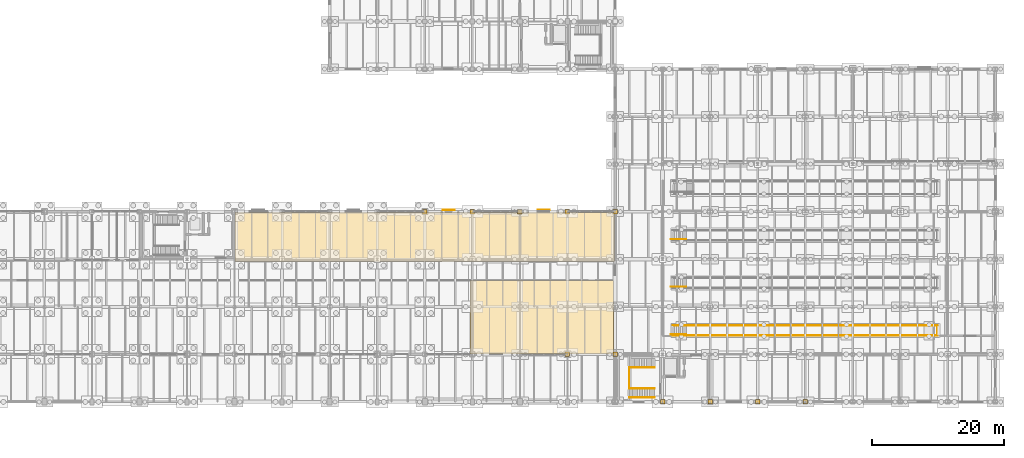
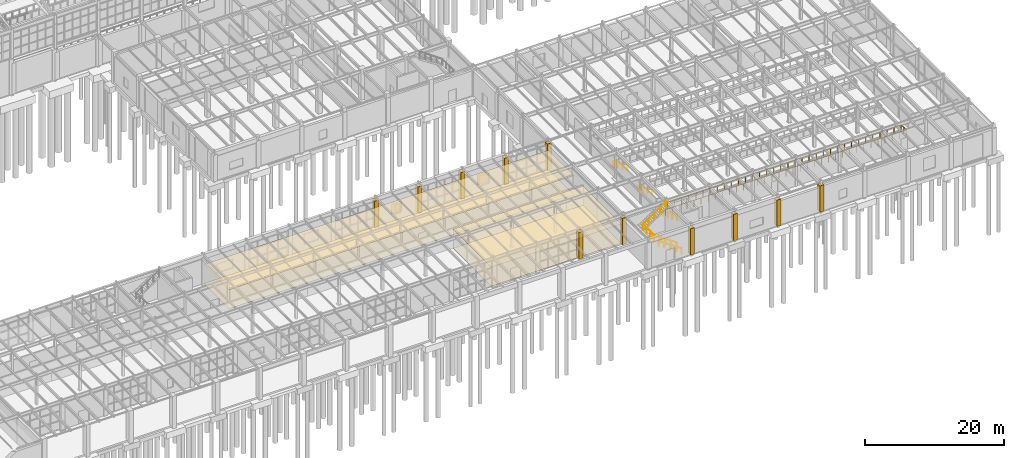
# One storey, part 289 of 293: 15 coverings, 6 railings, 2 shading devices.
"""IFC4 building model written with IfcOpenShell, lengths in metres."""

from ifc_helpers import new_model, si_unit, direction, frame, origin, origin_2d, place, context, subcontext, project, spatial, polyline, rectangle, circle, outline, extrude, material, layer, layer_set, type_object, element, save


model = new_model("IFC4")

# Units and contexts
model_context = context("Model", 3, precision=1e-05, world=origin(), true_north=direction((0.0, 1.0)))
body_context = subcontext(model_context, "Body", "Model", "MODEL_VIEW")
ifc_project = project(units=[si_unit("LENGTHUNIT", "METRE"), si_unit("AREAUNIT", "SQUARE_METRE"), si_unit("VOLUMEUNIT", "CUBIC_METRE"), si_unit("PLANEANGLEUNIT", "RADIAN"), si_unit("MASSUNIT", "GRAM", prefix="KILO")], contexts=[model_context])

# Site, building, storey
site_placement = place(None, origin())
site = spatial("IfcSite", under=ifc_project, at=site_placement, CompositionType="ELEMENT")
building_placement = place(site_placement, origin())
building = spatial("IfcBuilding", under=site, at=building_placement, Name="Kemerveld Promenade Tramway Depot", CompositionType="ELEMENT")
storey_placement = place(building_placement, origin())
storey = spatial("IfcBuildingStorey", under=building, at=storey_placement, Name="L00", CompositionType="ELEMENT", Elevation=0.0)

# Coverings
ifc_material_1 = material(Name="Perforated mineral-fibre acoustic ceiling")
ifc_layer_1 = layer(ifc_material_1, 0.02490234375)
ifc_layer_set_1 = layer_set([ifc_layer_1], Name="COV-CEIL-AC")
covering_type_1 = type_object("IfcCoveringType", Name="COV-CEIL-AC", PredefinedType="CEILING", material=ifc_layer_set_1)
covering_1_placement = place(storey_placement, frame((0.0, 0.0, 3.35498046875)))
element("IfcCovering", 1, at=covering_1_placement, inside=storey, type_object=covering_type_1, Name="CEIL-RM-L00-V4-COMM", PredefinedType="CEILING", context=body_context, shape_type="SweptSolid", body=[
    extrude(outline(polyline([(136.449951171875, 7.25), (158.175048828125, 7.25), (158.175048828125, 18.35009765625), (136.449951171875, 18.35009765625), (136.449951171875, 7.25)])), origin(), (0.0, 0.0, 1.0), 0.02490234375),
])
covering_2_placement = place(storey_placement, frame((0.0, 0.0, 3.35498046875)))
element("IfcCovering", 2, at=covering_2_placement, inside=storey, type_object=covering_type_1, Name="CEIL-RM-L00-V4-FOY", PredefinedType="CEILING", context=body_context, shape_type="SweptSolid", body=[
    extrude(outline(polyline([(100.85009765625, 21.25), (158.35009765625, 21.25), (158.35009765625, 28.64990234375), (100.85009765625, 28.64990234375), (100.85009765625, 21.25)])), origin(), (0.0, 0.0, 1.0), 0.02490234375),
])
ifc_material_2 = material(Name="Dressed Harare granite ashlar cladding", Category="masonry")
ifc_layer_2 = layer(ifc_material_2, 0.050048828125)
ifc_layer_set_2 = layer_set([ifc_layer_2], Name="COV-CLAD-GRAN")
covering_type_2 = type_object("IfcCoveringType", Name="COV-CLAD-GRAN", PredefinedType="CLADDING", material=ifc_layer_set_2)
covering_3_placement = place(storey_placement, origin())
element("IfcCovering", 3, at=covering_3_placement, inside=storey, type_object=covering_type_2, Name="CLAD-PIER-L00-116", PredefinedType="CLADDING", context=body_context, shape_type="SweptSolid", body=[
    extrude(outline(polyline([(158.06005859375, 6.860107421875), (158.739990234375, 6.860107421875), (158.739990234375, 7.5400390625), (158.06005859375, 7.5400390625), (158.06005859375, 6.860107421875)])), origin(), (0.0, 0.0, 1.0), 4.64990234375),
])
covering_4_placement = place(storey_placement, origin())
element("IfcCovering", 4, at=covering_4_placement, inside=storey, type_object=covering_type_2, Name="CLAD-PIER-L00-117", PredefinedType="CLADDING", context=body_context, shape_type="SweptSolid", body=[
    extrude(outline(polyline([(150.860107421875, 6.860107421875), (151.5400390625, 6.860107421875), (151.5400390625, 7.5400390625), (150.860107421875, 7.5400390625), (150.860107421875, 6.860107421875)])), origin(), (0.0, 0.0, 1.0), 4.64990234375),
])
covering_5_placement = place(storey_placement, origin())
element("IfcCovering", 5, at=covering_5_placement, inside=storey, type_object=covering_type_2, Name="CLAD-PIER-L00-139", PredefinedType="CLADDING", context=body_context, shape_type="SweptSolid", body=[
    extrude(outline(polyline([(129.260009765625, 28.4599609375), (129.93994140625, 28.4599609375), (129.93994140625, 29.139892578125), (129.260009765625, 29.139892578125), (129.260009765625, 28.4599609375)])), origin(), (0.0, 0.0, 1.0), 4.64990234375),
])
covering_6_placement = place(storey_placement, origin())
element("IfcCovering", 6, at=covering_6_placement, inside=storey, type_object=covering_type_2, Name="CLAD-PIER-L00-140", PredefinedType="CLADDING", context=body_context, shape_type="SweptSolid", body=[
    extrude(outline(polyline([(136.4599609375, 28.4599609375), (137.139892578125, 28.4599609375), (137.139892578125, 29.139892578125), (136.4599609375, 29.139892578125), (136.4599609375, 28.4599609375)])), origin(), (0.0, 0.0, 1.0), 4.64990234375),
])
covering_7_placement = place(storey_placement, origin())
element("IfcCovering", 7, at=covering_7_placement, inside=storey, type_object=covering_type_2, Name="CLAD-PIER-L00-141", PredefinedType="CLADDING", context=body_context, shape_type="SweptSolid", body=[
    extrude(outline(polyline([(143.659912109375, 28.4599609375), (144.340087890625, 28.4599609375), (144.340087890625, 29.139892578125), (143.659912109375, 29.139892578125), (143.659912109375, 28.4599609375)])), origin(), (0.0, 0.0, 1.0), 4.64990234375),
])
covering_8_placement = place(storey_placement, origin())
element("IfcCovering", 8, at=covering_8_placement, inside=storey, type_object=covering_type_2, Name="CLAD-PIER-L00-142", PredefinedType="CLADDING", context=body_context, shape_type="SweptSolid", body=[
    extrude(outline(polyline([(150.860107421875, 28.4599609375), (151.5400390625, 28.4599609375), (151.5400390625, 29.139892578125), (150.860107421875, 29.139892578125), (150.860107421875, 28.4599609375)])), origin(), (0.0, 0.0, 1.0), 4.64990234375),
])
covering_9_placement = place(storey_placement, origin())
element("IfcCovering", 9, at=covering_9_placement, inside=storey, type_object=covering_type_2, Name="CLAD-PIER-L00-181", PredefinedType="CLADDING", context=body_context, shape_type="SweptSolid", body=[
    extrude(outline(polyline([(186.860107421875, -0.340087890625), (187.5400390625, -0.340087890625), (187.5400390625, 0.340087890625), (186.860107421875, 0.340087890625), (186.860107421875, -0.340087890625)])), origin(), (0.0, 0.0, 1.0), 4.64990234375),
])
covering_10_placement = place(storey_placement, origin())
element("IfcCovering", 10, at=covering_10_placement, inside=storey, type_object=covering_type_2, Name="CLAD-PIER-L00-182", PredefinedType="CLADDING", context=body_context, shape_type="SweptSolid", body=[
    extrude(outline(polyline([(179.659912109375, -0.340087890625), (180.340087890625, -0.340087890625), (180.340087890625, 0.340087890625), (179.659912109375, 0.340087890625), (179.659912109375, -0.340087890625)])), origin(), (0.0, 0.0, 1.0), 4.64990234375),
])
covering_11_placement = place(storey_placement, origin())
element("IfcCovering", 11, at=covering_11_placement, inside=storey, type_object=covering_type_2, Name="CLAD-PIER-L00-183", PredefinedType="CLADDING", context=body_context, shape_type="SweptSolid", body=[
    extrude(outline(polyline([(172.4599609375, -0.340087890625), (173.139892578125, -0.340087890625), (173.139892578125, 0.340087890625), (172.4599609375, 0.340087890625), (172.4599609375, -0.340087890625)])), origin(), (0.0, 0.0, 1.0), 4.64990234375),
])
covering_12_placement = place(storey_placement, origin())
element("IfcCovering", 12, at=covering_12_placement, inside=storey, type_object=covering_type_2, Name="CLAD-PIER-L00-184", PredefinedType="CLADDING", context=body_context, shape_type="SweptSolid", body=[
    extrude(outline(polyline([(165.260009765625, -0.340087890625), (165.93994140625, -0.340087890625), (165.93994140625, 0.340087890625), (165.260009765625, 0.340087890625), (165.260009765625, -0.340087890625)])), origin(), (0.0, 0.0, 1.0), 4.64990234375),
])
covering_13_placement = place(storey_placement, origin())
element("IfcCovering", 13, at=covering_13_placement, inside=storey, type_object=covering_type_2, Name="CLAD-PIER-L00-186", PredefinedType="CLADDING", context=body_context, shape_type="SweptSolid", body=[
    extrude(outline(polyline([(158.06005859375, 28.4599609375), (158.739990234375, 28.4599609375), (158.739990234375, 29.139892578125), (158.06005859375, 29.139892578125), (158.06005859375, 28.4599609375)])), origin(), (0.0, 0.0, 1.0), 4.64990234375),
])
ifc_material_3 = material(Name="Honed Harare granite terrazzo flooring", Category="masonry")
ifc_layer_3 = layer(ifc_material_3, 0.02001953125)
ifc_layer_set_3 = layer_set([ifc_layer_3], Name="COV-FLR-TERR")
covering_type_3 = type_object("IfcCoveringType", Name="COV-FLR-TERR", PredefinedType="FLOORING", material=ifc_layer_set_3)
covering_14_placement = place(storey_placement, origin())
element("IfcCovering", 14, at=covering_14_placement, inside=storey, type_object=covering_type_3, Name="FLR-RM-L00-V4-COMM", PredefinedType="FLOORING", context=body_context, shape_type="SweptSolid", body=[
    extrude(outline(polyline([(136.449951171875, 7.25), (158.175048828125, 7.25), (158.175048828125, 18.35009765625), (136.449951171875, 18.35009765625), (136.449951171875, 7.25)])), origin(), (0.0, 0.0, 1.0), 0.02001953125),
])
covering_15_placement = place(storey_placement, origin())
element("IfcCovering", 15, at=covering_15_placement, inside=storey, type_object=covering_type_3, Name="FLR-RM-L00-V4-FOY", PredefinedType="FLOORING", context=body_context, shape_type="SweptSolid", body=[
    extrude(outline(polyline([(100.85009765625, 21.25), (158.35009765625, 21.25), (158.35009765625, 28.64990234375), (100.85009765625, 28.64990234375), (100.85009765625, 21.25)])), origin(), (0.0, 0.0, 1.0), 0.02001953125),
])

# Railings
ifc_material_4 = material(Name="Galvanised painted steel balustrade", Category="steel")
railing_type_1 = type_object("IfcRailingType", Name="RL-GRD-1100", PredefinedType="GUARDRAIL", material=ifc_material_4)
railing_1_placement = place(storey_placement, frame((164.3798828125, 2.014892578125, 0.0)))
element("IfcRailing", 16, at=railing_1_placement, inside=storey, type_object=railing_type_1, Name="RL-GRD-ST-05-L00", PredefinedType="GUARDRAIL", context=body_context, shape_type="SweptSolid", body=[
    extrude(circle(Radius=0.02392578125, at=origin_2d()), frame((0.0, 0.0, 1.09619140625), z_axis=(-0.815889850665, 0.0, 0.578207360366), x_axis=(0.0, -1.0, 0.0)), (0.0, 0.0, 1.0), 4.66943359375),
    extrude(circle(Radius=0.02392578125, at=origin_2d()), frame((-3.809814453125, 0.0, 3.7958984375), z_axis=(0.0, 1.0, 0.0), x_axis=(-1.0, 0.0, 0.0)), (0.0, 0.0, 1.0), 3.170166015625),
    extrude(circle(Radius=0.02392578125, at=origin_2d()), frame((-3.809814453125, 3.170166015625, 3.7958984375), z_axis=(0.815889850665, 0.0, 0.578207360366), x_axis=(0.0, 1.0, 0.0)), (0.0, 0.0, 1.0), 4.66943359375),
    extrude(circle(Radius=0.02099609375, at=origin_2d()), origin(), (0.0, 0.0, 1.0), 1.072021484375),
    extrude(circle(Radius=0.02099609375, at=origin_2d()), frame((-0.952392578125, 0.0, 0.675048828125)), (0.0, 0.0, 1.0), 1.072021484375),
    extrude(circle(Radius=0.02099609375, at=origin_2d()), frame((-1.90478515625, 0.0, 1.35009765625)), (0.0, 0.0, 1.0), 1.072021484375),
    extrude(circle(Radius=0.02099609375, at=origin_2d()), frame((-2.857421875, 0.0, 2.02490234375)), (0.0, 0.0, 1.0), 1.072021484375),
    extrude(circle(Radius=0.02099609375, at=origin_2d()), frame((-3.809814453125, 0.0, 2.699951171875)), (0.0, 0.0, 1.0), 1.072021484375),
    extrude(circle(Radius=0.02099609375, at=origin_2d()), frame((-3.809814453125, 1.056640625, 2.699951171875)), (0.0, 0.0, 1.0), 1.072021484375),
    extrude(circle(Radius=0.02099609375, at=origin_2d()), frame((-3.809814453125, 2.113525390625, 2.699951171875)), (0.0, 0.0, 1.0), 1.072021484375),
    extrude(circle(Radius=0.02099609375, at=origin_2d()), frame((-3.809814453125, 3.170166015625, 2.699951171875)), (0.0, 0.0, 1.0), 1.072021484375),
    extrude(circle(Radius=0.02099609375, at=origin_2d()), frame((-2.857421875, 3.170166015625, 3.375)), (0.0, 0.0, 1.0), 1.072021484375),
    extrude(circle(Radius=0.02099609375, at=origin_2d()), frame((-1.90478515625, 3.170166015625, 4.0498046875)), (0.0, 0.0, 1.0), 1.072021484375),
    extrude(circle(Radius=0.02099609375, at=origin_2d()), frame((-0.952392578125, 3.170166015625, 4.724853515625)), (0.0, 0.0, 1.0), 1.072021484375),
    extrude(circle(Radius=0.02099609375, at=origin_2d()), frame((0.0, 3.170166015625, 5.39990234375)), (0.0, 0.0, 1.0), 1.072021484375),
])
railing_2_placement = place(storey_placement, frame((167.14990234375, 10.195068359375, 0.0)))
element("IfcRailing", 17, at=railing_2_placement, inside=storey, type_object=railing_type_1, Name="RL-PIT-PIT-08", PredefinedType="GUARDRAIL", context=body_context, shape_type="SweptSolid", body=[
    extrude(circle(Radius=0.02392578125, at=origin_2d()), frame((0.0, 0.0, 1.09619140625), z_axis=(0.0, -1.0, 0.0), x_axis=(1.0, 0.0, 0.0)), (0.0, 0.0, 1.0), 0.14501953125),
    extrude(circle(Radius=0.02392578125, at=origin_2d()), frame((0.0, -0.14501953125, 1.09619140625), z_axis=(1.0, 0.0, 0.0), x_axis=(0.0, 1.0, 0.0)), (0.0, 0.0, 1.0), 40.10009765625),
    extrude(circle(Radius=0.02392578125, at=origin_2d()), frame((40.10009765625, -0.14501953125, 1.09619140625), z_axis=(0.0, 1.0, 0.0), x_axis=(-1.0, 0.0, 0.0)), (0.0, 0.0, 1.0), 1.5),
    extrude(circle(Radius=0.02392578125, at=origin_2d()), frame((40.10009765625, 1.35498046875, 1.09619140625), z_axis=(-1.0, 0.0, 0.0), x_axis=(0.0, -1.0, 0.0)), (0.0, 0.0, 1.0), 40.10009765625),
    extrude(circle(Radius=0.02392578125, at=origin_2d()), frame((0.0, 1.35498046875, 1.09619140625), z_axis=(0.0, -1.0, 0.0), x_axis=(1.0, 0.0, 0.0)), (0.0, 0.0, 1.0), 0.14501953125),
    extrude(circle(Radius=0.02099609375, at=origin_2d()), origin(), (0.0, 0.0, 1.0), 1.072021484375),
    extrude(circle(Radius=0.02099609375, at=origin_2d()), frame((0.0, -0.14501953125, 0.0)), (0.0, 0.0, 1.0), 1.072021484375),
    extrude(circle(Radius=0.02099609375, at=origin_2d()), frame((1.179443359375, -0.14501953125, 0.0)), (0.0, 0.0, 1.0), 1.072021484375),
    extrude(circle(Radius=0.02099609375, at=origin_2d()), frame((2.35888671875, -0.14501953125, 0.0)), (0.0, 0.0, 1.0), 1.072021484375),
    extrude(circle(Radius=0.02099609375, at=origin_2d()), frame((3.538330078125, -0.14501953125, 0.0)), (0.0, 0.0, 1.0), 1.072021484375),
    extrude(circle(Radius=0.02099609375, at=origin_2d()), frame((4.7177734375, -0.14501953125, 0.0)), (0.0, 0.0, 1.0), 1.072021484375),
    extrude(circle(Radius=0.02099609375, at=origin_2d()), frame((5.89697265625, -0.14501953125, 0.0)), (0.0, 0.0, 1.0), 1.072021484375),
    extrude(circle(Radius=0.02099609375, at=origin_2d()), frame((7.076416015625, -0.14501953125, 0.0)), (0.0, 0.0, 1.0), 1.072021484375),
    extrude(circle(Radius=0.02099609375, at=origin_2d()), frame((8.255859375, -0.14501953125, 0.0)), (0.0, 0.0, 1.0), 1.072021484375),
    extrude(circle(Radius=0.02099609375, at=origin_2d()), frame((9.435302734375, -0.14501953125, 0.0)), (0.0, 0.0, 1.0), 1.072021484375),
    extrude(circle(Radius=0.02099609375, at=origin_2d()), frame((10.61474609375, -0.14501953125, 0.0)), (0.0, 0.0, 1.0), 1.072021484375),
    extrude(circle(Radius=0.02099609375, at=origin_2d()), frame((11.794189453125, -0.14501953125, 0.0)), (0.0, 0.0, 1.0), 1.072021484375),
    extrude(circle(Radius=0.02099609375, at=origin_2d()), frame((12.9736328125, -0.14501953125, 0.0)), (0.0, 0.0, 1.0), 1.072021484375),
    extrude(circle(Radius=0.02099609375, at=origin_2d()), frame((14.153076171875, -0.14501953125, 0.0)), (0.0, 0.0, 1.0), 1.072021484375),
    extrude(circle(Radius=0.02099609375, at=origin_2d()), frame((15.332275390625, -0.14501953125, 0.0)), (0.0, 0.0, 1.0), 1.072021484375),
    extrude(circle(Radius=0.02099609375, at=origin_2d()), frame((16.51171875, -0.14501953125, 0.0)), (0.0, 0.0, 1.0), 1.072021484375),
    extrude(circle(Radius=0.02099609375, at=origin_2d()), frame((17.691162109375, -0.14501953125, 0.0)), (0.0, 0.0, 1.0), 1.072021484375),
    extrude(circle(Radius=0.02099609375, at=origin_2d()), frame((18.87060546875, -0.14501953125, 0.0)), (0.0, 0.0, 1.0), 1.072021484375),
    extrude(circle(Radius=0.02099609375, at=origin_2d()), frame((20.050048828125, -0.14501953125, 0.0)), (0.0, 0.0, 1.0), 1.072021484375),
    extrude(circle(Radius=0.02099609375, at=origin_2d()), frame((21.2294921875, -0.14501953125, 0.0)), (0.0, 0.0, 1.0), 1.072021484375),
    extrude(circle(Radius=0.02099609375, at=origin_2d()), frame((22.408935546875, -0.14501953125, 0.0)), (0.0, 0.0, 1.0), 1.072021484375),
    extrude(circle(Radius=0.02099609375, at=origin_2d()), frame((23.58837890625, -0.14501953125, 0.0)), (0.0, 0.0, 1.0), 1.072021484375),
    extrude(circle(Radius=0.02099609375, at=origin_2d()), frame((24.767822265625, -0.14501953125, 0.0)), (0.0, 0.0, 1.0), 1.072021484375),
    extrude(circle(Radius=0.02099609375, at=origin_2d()), frame((25.947021484375, -0.14501953125, 0.0)), (0.0, 0.0, 1.0), 1.072021484375),
    extrude(circle(Radius=0.02099609375, at=origin_2d()), frame((27.12646484375, -0.14501953125, 0.0)), (0.0, 0.0, 1.0), 1.072021484375),
    extrude(circle(Radius=0.02099609375, at=origin_2d()), frame((28.305908203125, -0.14501953125, 0.0)), (0.0, 0.0, 1.0), 1.072021484375),
    extrude(circle(Radius=0.02099609375, at=origin_2d()), frame((29.4853515625, -0.14501953125, 0.0)), (0.0, 0.0, 1.0), 1.072021484375),
    extrude(circle(Radius=0.02099609375, at=origin_2d()), frame((30.664794921875, -0.14501953125, 0.0)), (0.0, 0.0, 1.0), 1.072021484375),
    extrude(circle(Radius=0.02099609375, at=origin_2d()), frame((31.84423828125, -0.14501953125, 0.0)), (0.0, 0.0, 1.0), 1.072021484375),
    extrude(circle(Radius=0.02099609375, at=origin_2d()), frame((33.023681640625, -0.14501953125, 0.0)), (0.0, 0.0, 1.0), 1.072021484375),
    extrude(circle(Radius=0.02099609375, at=origin_2d()), frame((34.203125, -0.14501953125, 0.0)), (0.0, 0.0, 1.0), 1.072021484375),
    extrude(circle(Radius=0.02099609375, at=origin_2d()), frame((35.38232421875, -0.14501953125, 0.0)), (0.0, 0.0, 1.0), 1.072021484375),
    extrude(circle(Radius=0.02099609375, at=origin_2d()), frame((36.561767578125, -0.14501953125, 0.0)), (0.0, 0.0, 1.0), 1.072021484375),
    extrude(circle(Radius=0.02099609375, at=origin_2d()), frame((37.7412109375, -0.14501953125, 0.0)), (0.0, 0.0, 1.0), 1.072021484375),
    extrude(circle(Radius=0.02099609375, at=origin_2d()), frame((38.920654296875, -0.14501953125, 0.0)), (0.0, 0.0, 1.0), 1.072021484375),
    extrude(circle(Radius=0.02099609375, at=origin_2d()), frame((40.10009765625, -0.14501953125, 0.0)), (0.0, 0.0, 1.0), 1.072021484375),
    extrude(circle(Radius=0.02099609375, at=origin_2d()), frame((40.10009765625, 0.60498046875, 0.0)), (0.0, 0.0, 1.0), 1.072021484375),
    extrude(circle(Radius=0.02099609375, at=origin_2d()), frame((40.10009765625, 1.35498046875, 0.0)), (0.0, 0.0, 1.0), 1.072021484375),
    extrude(circle(Radius=0.02099609375, at=origin_2d()), frame((38.920654296875, 1.35498046875, 0.0)), (0.0, 0.0, 1.0), 1.072021484375),
    extrude(circle(Radius=0.02099609375, at=origin_2d()), frame((37.7412109375, 1.35498046875, 0.0)), (0.0, 0.0, 1.0), 1.072021484375),
    extrude(circle(Radius=0.02099609375, at=origin_2d()), frame((36.561767578125, 1.35498046875, 0.0)), (0.0, 0.0, 1.0), 1.072021484375),
    extrude(circle(Radius=0.02099609375, at=origin_2d()), frame((35.38232421875, 1.35498046875, 0.0)), (0.0, 0.0, 1.0), 1.072021484375),
    extrude(circle(Radius=0.02099609375, at=origin_2d()), frame((34.203125, 1.35498046875, 0.0)), (0.0, 0.0, 1.0), 1.072021484375),
    extrude(circle(Radius=0.02099609375, at=origin_2d()), frame((33.023681640625, 1.35498046875, 0.0)), (0.0, 0.0, 1.0), 1.072021484375),
    extrude(circle(Radius=0.02099609375, at=origin_2d()), frame((31.84423828125, 1.35498046875, 0.0)), (0.0, 0.0, 1.0), 1.072021484375),
    extrude(circle(Radius=0.02099609375, at=origin_2d()), frame((30.664794921875, 1.35498046875, 0.0)), (0.0, 0.0, 1.0), 1.072021484375),
    extrude(circle(Radius=0.02099609375, at=origin_2d()), frame((29.4853515625, 1.35498046875, 0.0)), (0.0, 0.0, 1.0), 1.072021484375),
    extrude(circle(Radius=0.02099609375, at=origin_2d()), frame((28.305908203125, 1.35498046875, 0.0)), (0.0, 0.0, 1.0), 1.072021484375),
    extrude(circle(Radius=0.02099609375, at=origin_2d()), frame((27.12646484375, 1.35498046875, 0.0)), (0.0, 0.0, 1.0), 1.072021484375),
    extrude(circle(Radius=0.02099609375, at=origin_2d()), frame((25.947021484375, 1.35498046875, 0.0)), (0.0, 0.0, 1.0), 1.072021484375),
    extrude(circle(Radius=0.02099609375, at=origin_2d()), frame((24.767822265625, 1.35498046875, 0.0)), (0.0, 0.0, 1.0), 1.072021484375),
    extrude(circle(Radius=0.02099609375, at=origin_2d()), frame((23.58837890625, 1.35498046875, 0.0)), (0.0, 0.0, 1.0), 1.072021484375),
    extrude(circle(Radius=0.02099609375, at=origin_2d()), frame((22.408935546875, 1.35498046875, 0.0)), (0.0, 0.0, 1.0), 1.072021484375),
    extrude(circle(Radius=0.02099609375, at=origin_2d()), frame((21.2294921875, 1.35498046875, 0.0)), (0.0, 0.0, 1.0), 1.072021484375),
    extrude(circle(Radius=0.02099609375, at=origin_2d()), frame((20.050048828125, 1.35498046875, 0.0)), (0.0, 0.0, 1.0), 1.072021484375),
    extrude(circle(Radius=0.02099609375, at=origin_2d()), frame((18.87060546875, 1.35498046875, 0.0)), (0.0, 0.0, 1.0), 1.072021484375),
    extrude(circle(Radius=0.02099609375, at=origin_2d()), frame((17.691162109375, 1.35498046875, 0.0)), (0.0, 0.0, 1.0), 1.072021484375),
    extrude(circle(Radius=0.02099609375, at=origin_2d()), frame((16.51171875, 1.35498046875, 0.0)), (0.0, 0.0, 1.0), 1.072021484375),
    extrude(circle(Radius=0.02099609375, at=origin_2d()), frame((15.332275390625, 1.35498046875, 0.0)), (0.0, 0.0, 1.0), 1.072021484375),
    extrude(circle(Radius=0.02099609375, at=origin_2d()), frame((14.153076171875, 1.35498046875, 0.0)), (0.0, 0.0, 1.0), 1.072021484375),
    extrude(circle(Radius=0.02099609375, at=origin_2d()), frame((12.9736328125, 1.35498046875, 0.0)), (0.0, 0.0, 1.0), 1.072021484375),
    extrude(circle(Radius=0.02099609375, at=origin_2d()), frame((11.794189453125, 1.35498046875, 0.0)), (0.0, 0.0, 1.0), 1.072021484375),
    extrude(circle(Radius=0.02099609375, at=origin_2d()), frame((10.61474609375, 1.35498046875, 0.0)), (0.0, 0.0, 1.0), 1.072021484375),
    extrude(circle(Radius=0.02099609375, at=origin_2d()), frame((9.435302734375, 1.35498046875, 0.0)), (0.0, 0.0, 1.0), 1.072021484375),
    extrude(circle(Radius=0.02099609375, at=origin_2d()), frame((8.255859375, 1.35498046875, 0.0)), (0.0, 0.0, 1.0), 1.072021484375),
    extrude(circle(Radius=0.02099609375, at=origin_2d()), frame((7.076416015625, 1.35498046875, 0.0)), (0.0, 0.0, 1.0), 1.072021484375),
    extrude(circle(Radius=0.02099609375, at=origin_2d()), frame((5.89697265625, 1.35498046875, 0.0)), (0.0, 0.0, 1.0), 1.072021484375),
    extrude(circle(Radius=0.02099609375, at=origin_2d()), frame((4.7177734375, 1.35498046875, 0.0)), (0.0, 0.0, 1.0), 1.072021484375),
    extrude(circle(Radius=0.02099609375, at=origin_2d()), frame((3.538330078125, 1.35498046875, 0.0)), (0.0, 0.0, 1.0), 1.072021484375),
    extrude(circle(Radius=0.02099609375, at=origin_2d()), frame((2.35888671875, 1.35498046875, 0.0)), (0.0, 0.0, 1.0), 1.072021484375),
    extrude(circle(Radius=0.02099609375, at=origin_2d()), frame((1.179443359375, 1.35498046875, 0.0)), (0.0, 0.0, 1.0), 1.072021484375),
    extrude(circle(Radius=0.02099609375, at=origin_2d()), frame((0.0, 1.35498046875, 0.0)), (0.0, 0.0, 1.0), 1.072021484375),
    extrude(circle(Radius=0.02099609375, at=origin_2d()), frame((0.0, 1.2099609375, 0.0)), (0.0, 0.0, 1.0), 1.072021484375),
])
ifc_material_5 = material(Name="Brushed stainless steel tubular handrail", Category="steel")
railing_type_2 = type_object("IfcRailingType", Name="RL-HR-920", PredefinedType="HANDRAIL", material=ifc_material_5)
railing_3_placement = place(storey_placement, frame((164.3798828125, 0.64501953125, 0.0)))
element("IfcRailing", 18, at=railing_3_placement, inside=storey, type_object=railing_type_2, Name="RL-HR-ST-05-L00", PredefinedType="HANDRAIL", context=body_context, shape_type="SweptSolid", body=[
    extrude(circle(Radius=0.02392578125, at=origin_2d()), frame((0.0, 0.0, 0.89599609375), z_axis=(-0.818023040443, 0.0, 0.575185452967), x_axis=(0.0, -1.0, 0.0)), (0.0, 0.0, 1.0), 4.694091796875),
    extrude(circle(Radius=0.02099609375, at=origin_2d()), origin(), (0.0, 0.0, 1.0), 0.871826171875),
    extrude(circle(Radius=0.02099609375, at=origin_2d()), frame((-0.9599609375, 0.0, 0.675048828125)), (0.0, 0.0, 1.0), 0.871826171875),
    extrude(circle(Radius=0.02099609375, at=origin_2d()), frame((-1.919921875, 0.0, 1.35009765625)), (0.0, 0.0, 1.0), 0.871826171875),
    extrude(circle(Radius=0.02099609375, at=origin_2d()), frame((-2.8798828125, 0.0, 2.02490234375)), (0.0, 0.0, 1.0), 0.871826171875),
    extrude(circle(Radius=0.02099609375, at=origin_2d()), frame((-3.83984375, 0.0, 2.699951171875)), (0.0, 0.0, 1.0), 0.871826171875),
])
for number, where, name in (
    (19, (169.169921875, 10.22509765625, -1.550048828125), "RL-HR-ST-P08"),
    (20, (169.169921875, 17.425048828125, -1.550048828125), "RL-HR-ST-P09"),
    (21, (169.169921875, 24.625, -1.550048828125), "RL-HR-ST-P10"),
):
    element("IfcRailing", number, at=place(storey_placement, frame(where)), inside=storey, type_object=railing_type_2, Name=name, PredefinedType="HANDRAIL", context=body_context, shape_type="SweptSolid", body=[
        extrude(circle(Radius=0.02392578125, at=origin_2d()), frame((0.0, 0.0, 0.89599609375), z_axis=(-0.831470963101, 0.0, 0.555568211401), x_axis=(0.0, -1.0, 0.0)), (0.0, 0.0, 1.0), 2.7900390625),
        extrude(circle(Radius=0.02099609375, at=origin_2d()), origin(), (0.0, 0.0, 1.0), 0.871826171875),
        extrude(circle(Radius=0.02099609375, at=origin_2d()), frame((-0.773193359375, 0.0, 0.5166015625)), (0.0, 0.0, 1.0), 0.871826171875),
        extrude(circle(Radius=0.02099609375, at=origin_2d()), frame((-1.546630859375, 0.0, 1.033447265625)), (0.0, 0.0, 1.0), 0.871826171875),
        extrude(circle(Radius=0.02099609375, at=origin_2d()), frame((-2.31982421875, 0.0, 1.550048828125)), (0.0, 0.0, 1.0), 0.871826171875),
    ])

# Shading devices
ifc_material_6 = material(Name="Perforated bronze-aluminium sun screen", Category="aluminium")
ifc_layer_4 = layer(ifc_material_6, 0.080078125)
ifc_layer_set_4 = layer_set([ifc_layer_4], Name="SHD-SCREEN")
shading_device_type = type_object("IfcShadingDeviceType", Name="SHD-SCREEN", PredefinedType="SHUTTER", material=ifc_layer_set_4)
for number, where, z_axis, x_axis, name in (
    (22, (133.199951171875, 29.030029296875, 0.9501953125), (0.0, 0.0, 1.0), (1.0, 0.0, 0.0), "SHD-L00-017"),
    (23, (147.60009765625, 29.030029296875, 1.0751953125), (0.0, 0.0, 1.0), (1.0, 0.0, 0.0), "SHD-L00-018"),
):
    element("IfcShadingDevice", number, at=place(storey_placement, frame(where, z_axis=z_axis, x_axis=x_axis)), inside=storey, type_object=shading_device_type, Name=name, PredefinedType="SHUTTER", context=body_context, shape_type="SweptSolid", body=[
        extrude(rectangle(XDim=1.800048828125, YDim=0.080078125, at=origin_2d()), origin(), (0.0, 0.0, 1.0), 1.800048828125),
    ])

save(model, "model.ifc")
